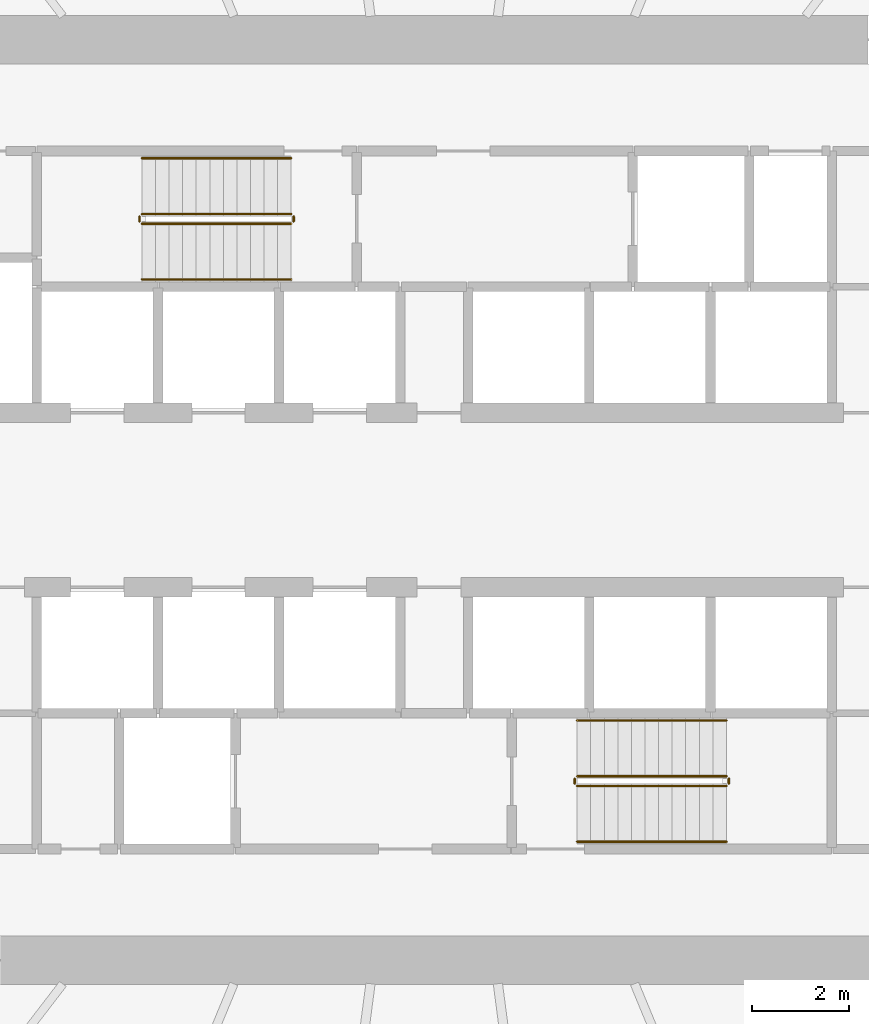
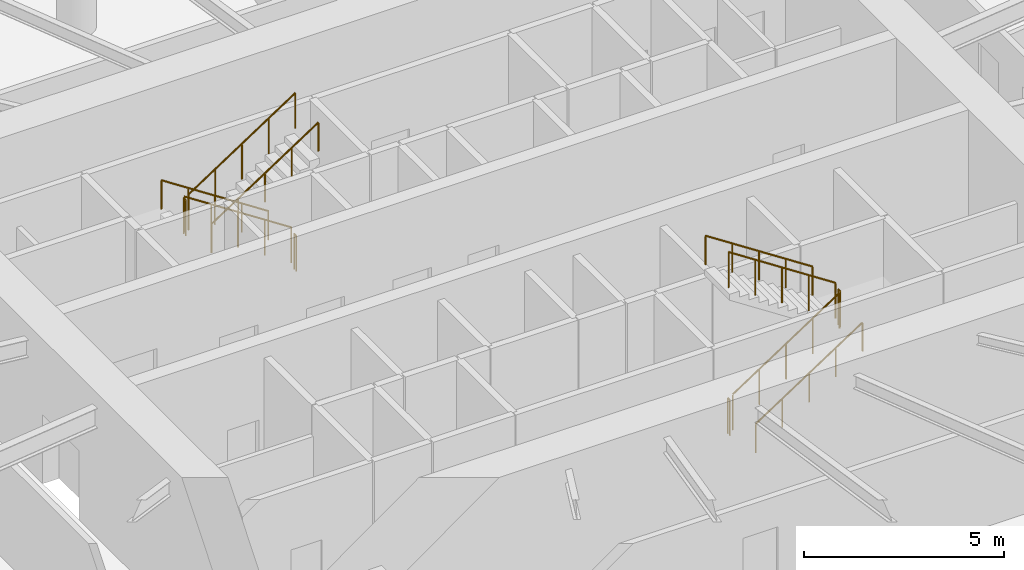
# One storey, part 18 of 19: 12 railings.
"""IFC4 building model written with IfcOpenShell, lengths in metres."""

from ifc_helpers import new_model, si_unit, direction, frame, origin, origin_2d, place, context, subcontext, project, spatial, circle, extrude, material, type_object, element, save


model = new_model("IFC4")

# Units and contexts
model_context = context("Model", 3, precision=1e-05, world=origin(), true_north=direction((0.0, 1.0)))
body_context = subcontext(model_context, "Body", "Model", "MODEL_VIEW")
ifc_project = project(units=[si_unit("LENGTHUNIT", "METRE"), si_unit("AREAUNIT", "SQUARE_METRE"), si_unit("VOLUMEUNIT", "CUBIC_METRE"), si_unit("PLANEANGLEUNIT", "RADIAN"), si_unit("MASSUNIT", "GRAM", prefix="KILO")], contexts=[model_context])

# Site, building, storey
site_placement = place(None, origin())
site = spatial("IfcSite", under=ifc_project, at=site_placement, CompositionType="ELEMENT")
building_placement = place(site_placement, origin())
building = spatial("IfcBuilding", under=site, at=building_placement, Name="Spindrift Exchange Tower", CompositionType="ELEMENT")
storey_placement = place(building_placement, frame((0.0, 0.0, 49.0)))
storey = spatial("IfcBuildingStorey", under=building, at=storey_placement, Name="L11", CompositionType="ELEMENT", Elevation=49.0)

# Railings
ifc_material_1 = material(Name="Steel balustrade", Category="steel")
railing_type_1 = type_object("IfcRailingType", Name="RL-STAIR-GUARD", PredefinedType="GUARDRAIL", material=ifc_material_1)
railing_1_placement = place(storey_placement, frame((49.050048828125, 53.89990234375, 0.183349609375)))
element("IfcRailing", 1, at=railing_1_placement, inside=storey, type_object=railing_type_1, Name="L11 ST1 stair guard 1", PredefinedType="GUARDRAIL", context=body_context, shape_type="SweptSolid", body=[
    extrude(circle(Radius=0.02392578125, at=origin_2d()), frame((0.0, 0.0, 1.076171875), z_axis=(-0.836633000464, 0.0, 0.547763838287), x_axis=(0.0, -1.0, 0.0)), (0.0, 0.0, 1.0), 3.681396484375),
    extrude(circle(Radius=0.02099609375, at=origin_2d()), origin(), (0.0, 0.0, 1.0), 1.052001953125),
    extrude(circle(Radius=0.02099609375, at=origin_2d()), frame((-0.77001953125, 0.0, 0.504150390625)), (0.0, 0.0, 1.0), 1.052001953125),
    extrude(circle(Radius=0.02099609375, at=origin_2d()), frame((-1.5400390625, 0.0, 1.00830078125)), (0.0, 0.0, 1.0), 1.052001953125),
    extrude(circle(Radius=0.02099609375, at=origin_2d()), frame((-2.31005859375, 0.0, 1.512451171875)), (0.0, 0.0, 1.0), 1.052001953125),
    extrude(circle(Radius=0.02099609375, at=origin_2d()), frame((-3.080078125, 0.0, 2.0166015625)), (0.0, 0.0, 1.0), 1.052001953125),
])
railing_2_placement = place(storey_placement, frame((45.919921875, 53.85009765625, 2.199951171875)))
element("IfcRailing", 2, at=railing_2_placement, inside=storey, type_object=railing_type_1, Name="L11 ST1 stair guard 2", PredefinedType="GUARDRAIL", context=body_context, shape_type="SweptSolid", body=[
    extrude(circle(Radius=0.02392578125, at=origin_2d()), frame((0.0, 0.0, 1.076171875), z_axis=(0.0, -1.0, 0.0), x_axis=(1.0, 0.0, 0.0)), (0.0, 0.0, 1.0), 0.10009765625),
    extrude(circle(Radius=0.02099609375, at=origin_2d()), origin(), (0.0, 0.0, 1.0), 1.052001953125),
    extrude(circle(Radius=0.02099609375, at=origin_2d()), frame((0.0, -0.10009765625, 0.0)), (0.0, 0.0, 1.0), 1.052001953125),
])
railing_3_placement = place(storey_placement, frame((45.969970703125, 53.699951171875, 2.38330078125)))
element("IfcRailing", 3, at=railing_3_placement, inside=storey, type_object=railing_type_1, Name="L11 ST1 stair guard 3", PredefinedType="GUARDRAIL", context=body_context, shape_type="SweptSolid", body=[
    extrude(circle(Radius=0.02392578125, at=origin_2d()), frame((0.0, 0.0, 1.076171875), z_axis=(0.836633000464, 0.0, 0.547763838287), x_axis=(0.0, 1.0, 0.0)), (0.0, 0.0, 1.0), 3.681396484375),
    extrude(circle(Radius=0.02099609375, at=origin_2d()), origin(), (0.0, 0.0, 1.0), 1.052001953125),
    extrude(circle(Radius=0.02099609375, at=origin_2d()), frame((0.77001953125, 0.0, 0.504150390625)), (0.0, 0.0, 1.0), 1.052001953125),
    extrude(circle(Radius=0.02099609375, at=origin_2d()), frame((1.5400390625, 0.0, 1.00830078125)), (0.0, 0.0, 1.0), 1.052001953125),
    extrude(circle(Radius=0.02099609375, at=origin_2d()), frame((2.31005859375, 0.0, 1.512451171875)), (0.0, 0.0, 1.0), 1.052001953125),
    extrude(circle(Radius=0.02099609375, at=origin_2d()), frame((3.080078125, 0.0, 2.0166015625)), (0.0, 0.0, 1.0), 1.052001953125),
])
railing_4_placement = place(storey_placement, frame((49.10009765625, 53.85009765625, 0.0)))
element("IfcRailing", 4, at=railing_4_placement, inside=storey, type_object=railing_type_1, Name="L11 ST1 stair guard 4", PredefinedType="GUARDRAIL", context=body_context, shape_type="SweptSolid", body=[
    extrude(circle(Radius=0.02392578125, at=origin_2d()), frame((0.0, 0.0, 1.076171875), z_axis=(0.0, -1.0, 0.0), x_axis=(1.0, 0.0, 0.0)), (0.0, 0.0, 1.0), 0.10009765625),
    extrude(circle(Radius=0.02099609375, at=origin_2d()), origin(), (0.0, 0.0, 1.0), 1.052001953125),
    extrude(circle(Radius=0.02099609375, at=origin_2d()), frame((0.0, -0.10009765625, 0.0)), (0.0, 0.0, 1.0), 1.052001953125),
])
railing_5_placement = place(storey_placement, frame((54.949951171875, 42.10009765625, 0.183349609375)))
element("IfcRailing", 5, at=railing_5_placement, inside=storey, type_object=railing_type_1, Name="L11 ST2 stair guard 1", PredefinedType="GUARDRAIL", context=body_context, shape_type="SweptSolid", body=[
    extrude(circle(Radius=0.02392578125, at=origin_2d()), frame((0.0, 0.0, 1.076171875), z_axis=(0.836633000464, 0.0, 0.547763838287), x_axis=(0.0, 1.0, 0.0)), (0.0, 0.0, 1.0), 3.681396484375),
    extrude(circle(Radius=0.02099609375, at=origin_2d()), origin(), (0.0, 0.0, 1.0), 1.052001953125),
    extrude(circle(Radius=0.02099609375, at=origin_2d()), frame((0.77001953125, 0.0, 0.504150390625)), (0.0, 0.0, 1.0), 1.052001953125),
    extrude(circle(Radius=0.02099609375, at=origin_2d()), frame((1.5400390625, 0.0, 1.00830078125)), (0.0, 0.0, 1.0), 1.052001953125),
    extrude(circle(Radius=0.02099609375, at=origin_2d()), frame((2.31005859375, 0.0, 1.512451171875)), (0.0, 0.0, 1.0), 1.052001953125),
    extrude(circle(Radius=0.02099609375, at=origin_2d()), frame((3.080078125, 0.0, 2.0166015625)), (0.0, 0.0, 1.0), 1.052001953125),
])
railing_6_placement = place(storey_placement, frame((58.080078125, 42.14990234375, 2.199951171875)))
element("IfcRailing", 6, at=railing_6_placement, inside=storey, type_object=railing_type_1, Name="L11 ST2 stair guard 2", PredefinedType="GUARDRAIL", context=body_context, shape_type="SweptSolid", body=[
    extrude(circle(Radius=0.02392578125, at=origin_2d()), frame((0.0, 0.0, 1.076171875), z_axis=(0.0, 1.0, 0.0), x_axis=(-1.0, 0.0, 0.0)), (0.0, 0.0, 1.0), 0.10009765625),
    extrude(circle(Radius=0.02099609375, at=origin_2d()), origin(), (0.0, 0.0, 1.0), 1.052001953125),
    extrude(circle(Radius=0.02099609375, at=origin_2d()), frame((0.0, 0.10009765625, 0.0)), (0.0, 0.0, 1.0), 1.052001953125),
])
railing_7_placement = place(storey_placement, frame((58.030029296875, 42.300048828125, 2.38330078125)))
element("IfcRailing", 7, at=railing_7_placement, inside=storey, type_object=railing_type_1, Name="L11 ST2 stair guard 3", PredefinedType="GUARDRAIL", context=body_context, shape_type="SweptSolid", body=[
    extrude(circle(Radius=0.02392578125, at=origin_2d()), frame((0.0, 0.0, 1.076171875), z_axis=(-0.836633000464, 0.0, 0.547763838287), x_axis=(0.0, -1.0, 0.0)), (0.0, 0.0, 1.0), 3.681396484375),
    extrude(circle(Radius=0.02099609375, at=origin_2d()), origin(), (0.0, 0.0, 1.0), 1.052001953125),
    extrude(circle(Radius=0.02099609375, at=origin_2d()), frame((-0.77001953125, 0.0, 0.504150390625)), (0.0, 0.0, 1.0), 1.052001953125),
    extrude(circle(Radius=0.02099609375, at=origin_2d()), frame((-1.5400390625, 0.0, 1.00830078125)), (0.0, 0.0, 1.0), 1.052001953125),
    extrude(circle(Radius=0.02099609375, at=origin_2d()), frame((-2.31005859375, 0.0, 1.512451171875)), (0.0, 0.0, 1.0), 1.052001953125),
    extrude(circle(Radius=0.02099609375, at=origin_2d()), frame((-3.080078125, 0.0, 2.0166015625)), (0.0, 0.0, 1.0), 1.052001953125),
])
railing_8_placement = place(storey_placement, frame((54.89990234375, 42.14990234375, 0.0)))
element("IfcRailing", 8, at=railing_8_placement, inside=storey, type_object=railing_type_1, Name="L11 ST2 stair guard 4", PredefinedType="GUARDRAIL", context=body_context, shape_type="SweptSolid", body=[
    extrude(circle(Radius=0.02392578125, at=origin_2d()), frame((0.0, 0.0, 1.076171875), z_axis=(0.0, 1.0, 0.0), x_axis=(-1.0, 0.0, 0.0)), (0.0, 0.0, 1.0), 0.10009765625),
    extrude(circle(Radius=0.02099609375, at=origin_2d()), origin(), (0.0, 0.0, 1.0), 1.052001953125),
    extrude(circle(Radius=0.02099609375, at=origin_2d()), frame((0.0, 0.10009765625, 0.0)), (0.0, 0.0, 1.0), 1.052001953125),
])
ifc_material_2 = material(Name="Steel tubular handrail", Category="steel")
railing_type_2 = type_object("IfcRailingType", Name="RL-STAIR-HAND", PredefinedType="HANDRAIL", material=ifc_material_2)
railing_9_placement = place(storey_placement, frame((49.050048828125, 55.050048828125, 0.183349609375)))
element("IfcRailing", 9, at=railing_9_placement, inside=storey, type_object=railing_type_2, Name="L11 ST1 stair handrail 1", PredefinedType="HANDRAIL", context=body_context, shape_type="SweptSolid", body=[
    extrude(circle(Radius=0.02392578125, at=origin_2d()), frame((0.0, 0.0, 0.8759765625), z_axis=(-0.836633000464, 0.0, 0.547763838287), x_axis=(0.0, -1.0, 0.0)), (0.0, 0.0, 1.0), 3.681396484375),
    extrude(circle(Radius=0.02099609375, at=origin_2d()), origin(), (0.0, 0.0, 1.0), 0.851806640625),
    extrude(circle(Radius=0.02099609375, at=origin_2d()), frame((-0.77001953125, 0.0, 0.504150390625)), (0.0, 0.0, 1.0), 0.851806640625),
    extrude(circle(Radius=0.02099609375, at=origin_2d()), frame((-1.5400390625, 0.0, 1.00830078125)), (0.0, 0.0, 1.0), 0.851806640625),
    extrude(circle(Radius=0.02099609375, at=origin_2d()), frame((-2.31005859375, 0.0, 1.512451171875)), (0.0, 0.0, 1.0), 0.851806640625),
    extrude(circle(Radius=0.02099609375, at=origin_2d()), frame((-3.080078125, 0.0, 2.0166015625)), (0.0, 0.0, 1.0), 0.851806640625),
])
for number, where, name in (
    (10, (45.969970703125, 52.550048828125, 2.38330078125), "L11 ST1 stair handrail 2"),
    (11, (54.949951171875, 40.949951171875, 0.183349609375), "L11 ST2 stair handrail 1"),
):
    element("IfcRailing", number, at=place(storey_placement, frame(where)), inside=storey, type_object=railing_type_2, Name=name, PredefinedType="HANDRAIL", context=body_context, shape_type="SweptSolid", body=[
        extrude(circle(Radius=0.02392578125, at=origin_2d()), frame((0.0, 0.0, 0.8759765625), z_axis=(0.836633000464, 0.0, 0.547763838287), x_axis=(0.0, 1.0, 0.0)), (0.0, 0.0, 1.0), 3.681396484375),
        extrude(circle(Radius=0.02099609375, at=origin_2d()), origin(), (0.0, 0.0, 1.0), 0.851806640625),
        extrude(circle(Radius=0.02099609375, at=origin_2d()), frame((0.77001953125, 0.0, 0.504150390625)), (0.0, 0.0, 1.0), 0.851806640625),
        extrude(circle(Radius=0.02099609375, at=origin_2d()), frame((1.5400390625, 0.0, 1.00830078125)), (0.0, 0.0, 1.0), 0.851806640625),
        extrude(circle(Radius=0.02099609375, at=origin_2d()), frame((2.31005859375, 0.0, 1.512451171875)), (0.0, 0.0, 1.0), 0.851806640625),
        extrude(circle(Radius=0.02099609375, at=origin_2d()), frame((3.080078125, 0.0, 2.0166015625)), (0.0, 0.0, 1.0), 0.851806640625),
    ])
railing_10_placement = place(storey_placement, frame((58.030029296875, 43.449951171875, 2.38330078125)))
element("IfcRailing", 12, at=railing_10_placement, inside=storey, type_object=railing_type_2, Name="L11 ST2 stair handrail 2", PredefinedType="HANDRAIL", context=body_context, shape_type="SweptSolid", body=[
    extrude(circle(Radius=0.02392578125, at=origin_2d()), frame((0.0, 0.0, 0.8759765625), z_axis=(-0.836633000464, 0.0, 0.547763838287), x_axis=(0.0, -1.0, 0.0)), (0.0, 0.0, 1.0), 3.681396484375),
    extrude(circle(Radius=0.02099609375, at=origin_2d()), origin(), (0.0, 0.0, 1.0), 0.851806640625),
    extrude(circle(Radius=0.02099609375, at=origin_2d()), frame((-0.77001953125, 0.0, 0.504150390625)), (0.0, 0.0, 1.0), 0.851806640625),
    extrude(circle(Radius=0.02099609375, at=origin_2d()), frame((-1.5400390625, 0.0, 1.00830078125)), (0.0, 0.0, 1.0), 0.851806640625),
    extrude(circle(Radius=0.02099609375, at=origin_2d()), frame((-2.31005859375, 0.0, 1.512451171875)), (0.0, 0.0, 1.0), 0.851806640625),
    extrude(circle(Radius=0.02099609375, at=origin_2d()), frame((-3.080078125, 0.0, 2.0166015625)), (0.0, 0.0, 1.0), 0.851806640625),
])

save(model, "model.ifc")
